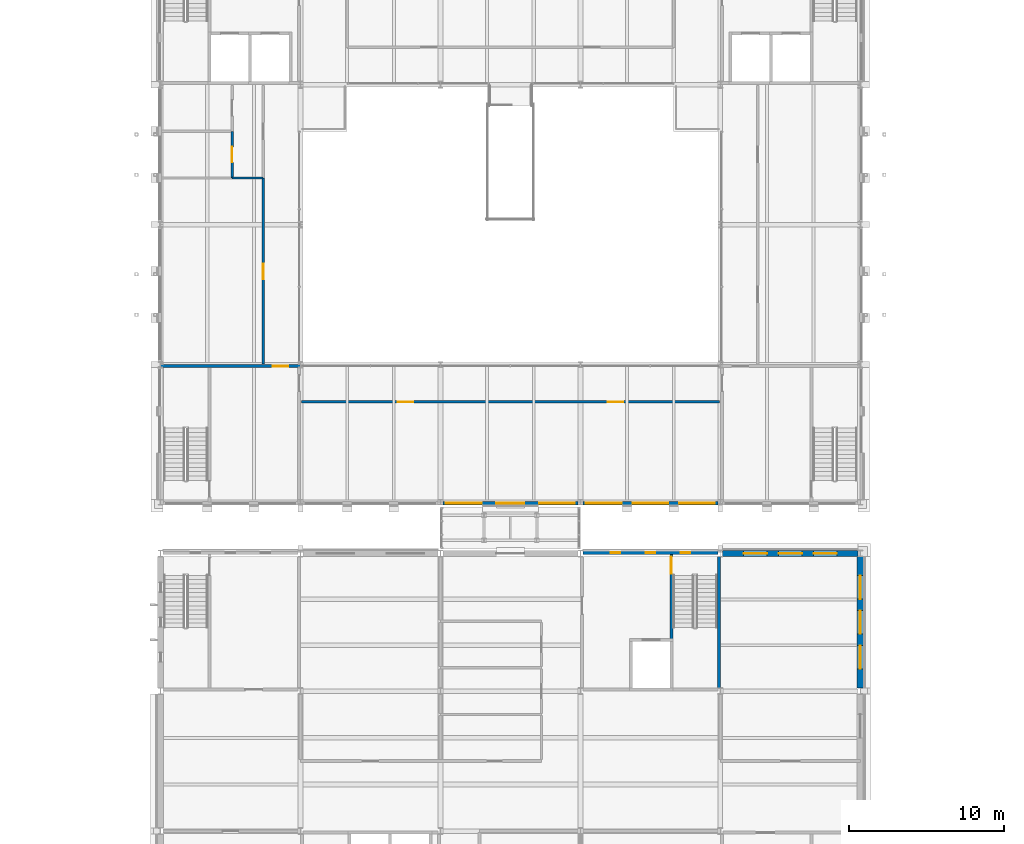
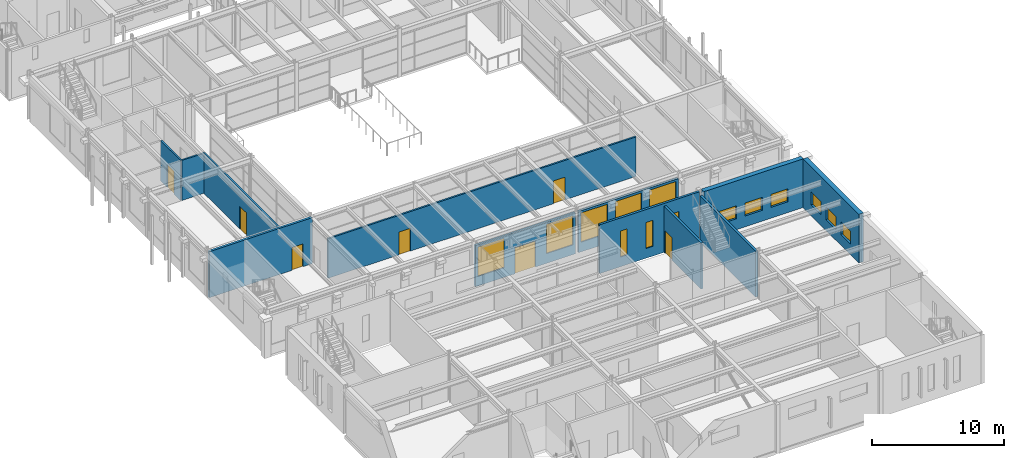
# One storey, part 97 of 153: 14 windows, 12 walls, 7 doors, 21 openings.
"""IFC4 building model written with IfcOpenShell, lengths in metres."""

from ifc_helpers import new_model, si_unit, direction, frame, frame_2d, origin, place, context, subcontext, project, spatial, rectangle, extrude, material, layer, layer_set, type_object, element, fill, save


model = new_model("IFC4")

# Units and contexts
model_context = context("Model", 3, precision=1e-05, world=origin(), true_north=direction((0.0, 1.0)))
body_context = subcontext(model_context, "Body", "Model", "MODEL_VIEW")
ifc_project = project(units=[si_unit("LENGTHUNIT", "METRE"), si_unit("AREAUNIT", "SQUARE_METRE"), si_unit("VOLUMEUNIT", "CUBIC_METRE"), si_unit("PLANEANGLEUNIT", "RADIAN"), si_unit("MASSUNIT", "GRAM", prefix="KILO")], contexts=[model_context])

# Site, building, storey
site_placement = place(None, origin())
site = spatial("IfcSite", under=ifc_project, at=site_placement, CompositionType="ELEMENT")
building_placement = place(site_placement, origin())
building = spatial("IfcBuilding", under=site, at=building_placement, Name="Kallimachos Central Library", CompositionType="ELEMENT")
storey_placement = place(building_placement, frame((0.0, 0.0, 5.39990234375)))
storey = spatial("IfcBuildingStorey", under=building, at=storey_placement, Name="L01", CompositionType="ELEMENT", Elevation=5.39990234375)

# Wall
ifc_material_1 = material(Name="Concrete C30/37", Category="concrete")
ifc_layer_1 = layer(ifc_material_1, 0.199951171875)
ifc_layer_set_1 = layer_set([ifc_layer_1], Name="Core wall 200")
wall_type_1 = type_object("IfcWallType", Name="Core wall 200", PredefinedType="SOLIDWALL", material=ifc_layer_set_1)
wall_1_placement = place(storey_placement, frame((101.39990234375, 36.216064453125, 0.0), z_axis=(0.0, 0.0, 1.0), x_axis=(0.0, 1.0, 0.0)))
element("IfcWall", 1, at=wall_1_placement, inside=storey, type_object=wall_type_1, Name="V5-WAL-L01-035", PredefinedType="SOLIDWALL", context=body_context, shape_type="SweptSolid", body=[
    extrude(rectangle(XDim=8.433837890625, YDim=0.199951171875, at=frame_2d((4.216796875, 0.0))), origin(), (0.0, 0.0, 1.0), 4.25),
])

# Wall, opening, door
wall_2_placement = place(storey_placement, frame((98.35009765625, 39.199951171875, 0.0), z_axis=(0.0, 0.0, 1.0), x_axis=(0.0, 1.0, 0.0)))
wall_2 = element("IfcWall", 2, at=wall_2_placement, inside=storey, type_object=wall_type_1, Name="V5-WAL-L01-036", PredefinedType="SOLIDWALL", context=body_context, shape_type="SweptSolid", body=[
    extrude(rectangle(XDim=5.60009765625, YDim=0.199951171875, at=frame_2d((2.800048828125, 0.0))), origin(), (0.0, 0.0, 1.0), 4.25),
])
opening_1_placement = place(wall_2_placement, frame((4.35009765625, 0.0, 0.0)))
opening_1 = element("IfcOpeningElement", 3, at=opening_1_placement, cuts=wall_2, Name="Opening D96", PredefinedType="OPENING", context=body_context, shape_type="SweptSolid", body=[
    extrude(rectangle(XDim=1.10009765625, YDim=2.10009765625, at=frame_2d((0.550048828125, 1.050048828125))), frame((0.0, 0.10986328125, 0.0), z_axis=(0.0, -1.0, 0.0), x_axis=(1.0, 0.0, 0.0)), (0.0, 0.0, 1.0), 0.219970703125),
])
ifc_material_2 = material(Name="Steel fire door", Category="steel")
door_type_1 = type_object("IfcDoorType", Name="Fire door EI2 90 1100 x 2100", OperationType="NOTDEFINED", PredefinedType="DOOR", material=ifc_material_2)
door_1_placement = place(opening_1_placement, frame((1.10009765625, 0.0, 0.0), z_axis=(0.0, 0.0, 1.0), x_axis=(-1.0, 0.0, 0.0)))
door_1 = element("IfcDoor", 4, at=door_1_placement, inside=storey, type_object=door_type_1, Name="ST14 stair door L01", OperationType="SINGLE_SWING_RIGHT", OverallHeight=2.10009765625, OverallWidth=1.10009765625, PredefinedType="DOOR", context=body_context, shape_type="SweptSolid", body=[
    extrude(rectangle(XDim=1.10009765625, YDim=2.10009765625, at=frame_2d((0.550048828125, 1.050048828125))), frame((0.0, 0.02490234375, 0.0), z_axis=(0.0, -1.0, 0.0), x_axis=(1.0, 0.0, 0.0)), (0.0, 0.0, 1.0), 0.050048828125),
])
fill(opening_1, door_1)

# Wall, openings, doors
ifc_material_3 = material(Name="Gypsum board on steel studs", Category="steel")
ifc_layer_2 = layer(ifc_material_3, 0.14990234375)
ifc_layer_set_2 = layer_set([ifc_layer_2], Name="Partition wall 150")
wall_type_2 = type_object("IfcWallType", Name="Partition wall 150", PredefinedType="PARTITIONING", material=ifc_layer_set_2)
wall_3_placement = place(storey_placement, frame((74.550048828125, 54.60009765625, 0.0), z_axis=(0.0, 0.0, 1.0), x_axis=(1.0, 0.0, 0.0)))
wall_3 = element("IfcWall", 5, at=wall_3_placement, inside=storey, type_object=wall_type_2, Name="L01 partition", PredefinedType="PARTITIONING", context=body_context, shape_type="SweptSolid", body=[
    extrude(rectangle(XDim=26.89990234375, YDim=0.14990234375, at=frame_2d((13.449951171875, 0.0))), origin(), (0.0, 0.0, 1.0), 3.650146484375),
])
opening_2_placement = place(wall_3_placement, frame((6.199951171875, 0.0, 0.0)))
opening_2 = element("IfcOpeningElement", 6, at=opening_2_placement, cuts=wall_3, Name="Opening D191", PredefinedType="OPENING", context=body_context, shape_type="SweptSolid", body=[
    extrude(rectangle(XDim=1.0, YDim=2.10009765625, at=frame_2d((0.5, 1.050048828125))), frame((0.0, 0.0849609375, 0.0), z_axis=(0.0, -1.0, 0.0), x_axis=(1.0, 0.0, 0.0)), (0.0, 0.0, 1.0), 0.169921875),
])
opening_3_placement = place(wall_3_placement, frame((19.699951171875, 0.0, 0.0)))
opening_3 = element("IfcOpeningElement", 7, at=opening_3_placement, cuts=wall_3, Name="Opening D192", PredefinedType="OPENING", context=body_context, shape_type="SweptSolid", body=[
    extrude(rectangle(XDim=1.0, YDim=2.10009765625, at=frame_2d((0.5, 1.050048828125))), frame((0.0, 0.0849609375, 0.0), z_axis=(0.0, -1.0, 0.0), x_axis=(1.0, 0.0, 0.0)), (0.0, 0.0, 1.0), 0.169921875),
])
ifc_material_4 = material(Name="Timber", Category="wood")
door_type_2 = type_object("IfcDoorType", Name="Single leaf door 1000 x 2100, EI2 30", OperationType="NOTDEFINED", PredefinedType="DOOR", material=ifc_material_4)
door_2_placement = place(opening_2_placement, origin())
door_2 = element("IfcDoor", 8, at=door_2_placement, inside=storey, type_object=door_type_2, Name="L01 door Open Stacks Sciences", OperationType="SINGLE_SWING_RIGHT", OverallHeight=2.10009765625, OverallWidth=1.0, PredefinedType="DOOR", context=body_context, shape_type="SweptSolid", body=[
    extrude(rectangle(XDim=1.0, YDim=2.10009765625, at=frame_2d((0.5, 1.050048828125))), frame((0.0, 0.02490234375, 0.0), z_axis=(0.0, -1.0, 0.0), x_axis=(1.0, 0.0, 0.0)), (0.0, 0.0, 1.0), 0.050048828125),
])
fill(opening_2, door_2)
door_3_placement = place(opening_3_placement, origin())
door_3 = element("IfcDoor", 9, at=door_3_placement, inside=storey, type_object=door_type_2, Name="L01 door Open Stacks Sciences", OperationType="SINGLE_SWING_LEFT", OverallHeight=2.10009765625, OverallWidth=1.0, PredefinedType="DOOR", context=body_context, shape_type="SweptSolid", body=[
    extrude(rectangle(XDim=1.0, YDim=2.10009765625, at=frame_2d((0.5, 1.050048828125))), frame((0.0, 0.02490234375, 0.0), z_axis=(0.0, -1.0, 0.0), x_axis=(1.0, 0.0, 0.0)), (0.0, 0.0, 1.0), 0.050048828125),
])
fill(opening_3, door_3)

# Wall, opening, door
wall_4_placement = place(storey_placement, frame((72.10009765625, 57.050048828125, 0.0), z_axis=(0.0, 0.0, 1.0), x_axis=(0.0, 1.0, 0.0)))
wall_4 = element("IfcWall", 10, at=wall_4_placement, inside=storey, type_object=wall_type_2, Name="L01 partition", PredefinedType="PARTITIONING", context=body_context, shape_type="SweptSolid", body=[
    extrude(rectangle(XDim=11.949951171875, YDim=0.14990234375, at=frame_2d((5.97509765625, 0.0))), origin(), (0.0, 0.0, 1.0), 3.7001953125),
])
opening_4_placement = place(wall_4_placement, frame((5.449951171875, 0.0, 0.0)))
opening_4 = element("IfcOpeningElement", 11, at=opening_4_placement, cuts=wall_4, Name="Opening D193", PredefinedType="OPENING", context=body_context, shape_type="SweptSolid", body=[
    extrude(rectangle(XDim=1.0, YDim=2.10009765625, at=frame_2d((0.5, 1.050048828125))), frame((0.0, 0.0849609375, 0.0), z_axis=(0.0, -1.0, 0.0), x_axis=(1.0, 0.0, 0.0)), (0.0, 0.0, 1.0), 0.169921875),
])
door_4_placement = place(opening_4_placement, frame((1.0, 0.0, 0.0), z_axis=(0.0, 0.0, 1.0), x_axis=(-1.0, 0.0, 0.0)))
door_4 = element("IfcDoor", 12, at=door_4_placement, inside=storey, type_object=door_type_2, Name="L01 door Map Room", OperationType="SINGLE_SWING_LEFT", OverallHeight=2.10009765625, OverallWidth=1.0, PredefinedType="DOOR", context=body_context, shape_type="SweptSolid", body=[
    extrude(rectangle(XDim=1.0, YDim=2.10009765625, at=frame_2d((0.5, 1.050048828125))), frame((0.0, 0.02490234375, 0.0), z_axis=(0.0, -1.0, 0.0), x_axis=(1.0, 0.0, 0.0)), (0.0, 0.0, 1.0), 0.050048828125),
])
fill(opening_4, door_4)

# Wall
wall_5_placement = place(storey_placement, frame((70.10009765625, 69.0, 0.0), z_axis=(0.0, 0.0, 1.0), x_axis=(1.0, 0.0, 0.0)))
element("IfcWall", 13, at=wall_5_placement, inside=storey, type_object=wall_type_2, Name="L01 partition", PredefinedType="PARTITIONING", context=body_context, shape_type="SweptSolid", body=[
    extrude(rectangle(XDim=2.0, YDim=0.14990234375, at=frame_2d((1.0, 0.0))), origin(), (0.0, 0.0, 1.0), 3.7001953125),
])

# Wall, opening, door
wall_6_placement = place(storey_placement, frame((70.10009765625, 69.0, 0.0), z_axis=(0.0, 0.0, 1.0), x_axis=(0.0, 1.0, 0.0)))
wall_6 = element("IfcWall", 14, at=wall_6_placement, inside=storey, type_object=wall_type_2, Name="L01 partition", PredefinedType="PARTITIONING", context=body_context, shape_type="SweptSolid", body=[
    extrude(rectangle(XDim=3.0, YDim=0.14990234375, at=frame_2d((1.5, 0.0))), origin(), (0.0, 0.0, 1.0), 3.7001953125),
])
opening_5_placement = place(wall_6_placement, frame((1.0, 0.0, 0.0)))
opening_5 = element("IfcOpeningElement", 15, at=opening_5_placement, cuts=wall_6, Name="Opening D195", PredefinedType="OPENING", context=body_context, shape_type="SweptSolid", body=[
    extrude(rectangle(XDim=1.0, YDim=2.10009765625, at=frame_2d((0.5, 1.050048828125))), frame((0.0, 0.0849609375, 0.0), z_axis=(0.0, -1.0, 0.0), x_axis=(1.0, 0.0, 0.0)), (0.0, 0.0, 1.0), 0.169921875),
])
door_5_placement = place(opening_5_placement, frame((1.0, 0.0, 0.0), z_axis=(0.0, 0.0, 1.0), x_axis=(-1.0, 0.0, 0.0)))
door_5 = element("IfcDoor", 16, at=door_5_placement, inside=storey, type_object=door_type_2, Name="L01 door Women's WC", OperationType="SINGLE_SWING_LEFT", OverallHeight=2.10009765625, OverallWidth=1.0, PredefinedType="DOOR", context=body_context, shape_type="SweptSolid", body=[
    extrude(rectangle(XDim=1.0, YDim=2.10009765625, at=frame_2d((0.5, 1.050048828125))), frame((0.0, 0.02490234375, 0.0), z_axis=(0.0, -1.0, 0.0), x_axis=(1.0, 0.0, 0.0)), (0.0, 0.0, 1.0), 0.050048828125),
])
fill(opening_5, door_5)

ifc_material_5 = material(Name="Concrete C35/45", Category="concrete")
ifc_layer_3 = layer(ifc_material_5, 0.199951171875)
ifc_layer_set_3 = layer_set([ifc_layer_3], Name="Shear core wall 200, internal")
wall_type_3 = type_object("IfcWallType", Name="Shear core wall 200, internal", PredefinedType="SHEAR", material=ifc_layer_set_3)
wall_7_placement = place(storey_placement, frame((65.5, 56.89990234375, 0.0), z_axis=(0.0, 0.0, 1.0), x_axis=(1.0, 0.0, 0.0)))
wall_7 = element("IfcWall", 17, at=wall_7_placement, inside=storey, type_object=wall_type_3, Name="L01 core wall V4-SW N", PredefinedType="SHEAR", context=body_context, shape_type="SweptSolid", body=[
    extrude(rectangle(XDim=9.0, YDim=0.199951171875, at=frame_2d((4.5, 0.0))), origin(), (0.0, 0.0, 1.0), 4.25),
])
opening_6_placement = place(wall_7_placement, frame((7.199951171875, 0.0, 0.0)))
opening_6 = element("IfcOpeningElement", 18, at=opening_6_placement, cuts=wall_7, Name="Opening D169", PredefinedType="OPENING", context=body_context, shape_type="SweptSolid", body=[
    extrude(rectangle(XDim=1.0, YDim=2.10009765625, at=frame_2d((0.5, 1.050048828125))), frame((0.0, 0.10986328125, 0.0), z_axis=(0.0, -1.0, 0.0), x_axis=(1.0, 0.0, 0.0)), (0.0, 0.0, 1.0), 0.219970703125),
])
ifc_material_6 = material(Name="Timber", Category="wood")
door_type_3 = type_object("IfcDoorType", Name="Single leaf door 1000 x 2100, EI2 90", OperationType="NOTDEFINED", PredefinedType="DOOR", material=ifc_material_6)
door_6_placement = place(opening_6_placement, origin())
door_6 = element("IfcDoor", 19, at=door_6_placement, inside=storey, type_object=door_type_3, Name="L01 core door V4-SW", OperationType="SINGLE_SWING_RIGHT", OverallHeight=2.10009765625, OverallWidth=1.0, PredefinedType="DOOR", context=body_context, shape_type="SweptSolid", body=[
    extrude(rectangle(XDim=1.0, YDim=2.10009765625, at=frame_2d((0.5, 1.050048828125))), frame((0.0, 0.02490234375, 0.0), z_axis=(0.0, -1.0, 0.0), x_axis=(1.0, 0.0, 0.0)), (0.0, 0.0, 1.0), 0.050048828125),
])
fill(opening_6, door_6)

# Wall, openings, windows
ifc_material_7 = material(Name="Pentelic marble masonry", Category="masonry")
ifc_layer_4 = layer(ifc_material_7, 0.39990234375)
ifc_layer_set_4 = layer_set([ifc_layer_4], Name="Stone masonry wall 400")
wall_type_4 = type_object("IfcWallType", Name="Stone masonry wall 400", PredefinedType="SOLIDWALL", material=ifc_layer_set_4)
wall_8_placement = place(storey_placement, frame((101.64990234375, 44.85009765625, 0.0), z_axis=(0.0, 0.0, 1.0), x_axis=(1.0, 0.0, 0.0)))
wall_8 = element("IfcWall", 20, at=wall_8_placement, inside=storey, type_object=wall_type_4, Name="V5-WAL-L01-019", PredefinedType="SOLIDWALL", context=body_context, shape_type="SweptSolid", body=[
    extrude(rectangle(XDim=8.7001953125, YDim=0.39990234375, at=frame_2d((4.35009765625, 0.0))), origin(), (0.0, 0.0, 1.0), 4.5),
])
opening_7_placement = place(wall_8_placement, frame((1.35009765625, 0.0, 1.0)))
opening_7 = element("IfcOpeningElement", 21, at=opening_7_placement, cuts=wall_8, Name="Opening WN52", PredefinedType="OPENING", context=body_context, shape_type="SweptSolid", body=[
    extrude(rectangle(XDim=1.5, YDim=1.199951171875, at=frame_2d((0.75, 0.60009765625))), frame((0.0, 0.2099609375, 0.0), z_axis=(0.0, -1.0, 0.0), x_axis=(1.0, 0.0, 0.0)), (0.0, 0.0, 1.0), 0.419921875),
])
opening_8_placement = place(wall_8_placement, frame((3.60009765625, 0.0, 1.0)))
opening_8 = element("IfcOpeningElement", 22, at=opening_8_placement, cuts=wall_8, Name="Opening WN53", PredefinedType="OPENING", context=body_context, shape_type="SweptSolid", body=[
    extrude(rectangle(XDim=1.5, YDim=1.199951171875, at=frame_2d((0.75, 0.60009765625))), frame((0.0, 0.2099609375, 0.0), z_axis=(0.0, -1.0, 0.0), x_axis=(1.0, 0.0, 0.0)), (0.0, 0.0, 1.0), 0.419921875),
])
opening_9_placement = place(wall_8_placement, frame((5.85009765625, 0.0, 1.0)))
opening_9 = element("IfcOpeningElement", 23, at=opening_9_placement, cuts=wall_8, Name="Opening WN54", PredefinedType="OPENING", context=body_context, shape_type="SweptSolid", body=[
    extrude(rectangle(XDim=1.5, YDim=1.199951171875, at=frame_2d((0.75, 0.60009765625))), frame((0.0, 0.2099609375, 0.0), z_axis=(0.0, -1.0, 0.0), x_axis=(1.0, 0.0, 0.0)), (0.0, 0.0, 1.0), 0.419921875),
])
ifc_material_8 = material(Name="Anodised aluminium louvre", Category="aluminium")
window_type_1 = type_object("IfcWindowType", Name="Plant louvre 1500 x 1200", PartitioningType="SINGLE_PANEL", PredefinedType="WINDOW", material=ifc_material_8)
window_1_placement = place(opening_7_placement, origin())
window_1 = element("IfcWindow", 24, at=window_1_placement, inside=storey, type_object=window_type_1, Name="V5-WIN-L01-021", OverallHeight=1.199951171875, OverallWidth=1.5, PartitioningType="SINGLE_PANEL", PredefinedType="WINDOW", context=body_context, shape_type="SweptSolid", body=[
    extrude(rectangle(XDim=1.5, YDim=1.199951171875, at=frame_2d((0.75, 0.60009765625))), frame((0.0, 0.030029296875, 0.0), z_axis=(0.0, -1.0, 0.0), x_axis=(1.0, 0.0, 0.0)), (0.0, 0.0, 1.0), 0.06005859375),
])
fill(opening_7, window_1)
window_2_placement = place(opening_8_placement, origin())
window_2 = element("IfcWindow", 25, at=window_2_placement, inside=storey, type_object=window_type_1, Name="V5-WIN-L01-022", OverallHeight=1.199951171875, OverallWidth=1.5, PartitioningType="SINGLE_PANEL", PredefinedType="WINDOW", context=body_context, shape_type="SweptSolid", body=[
    extrude(rectangle(XDim=1.5, YDim=1.199951171875, at=frame_2d((0.75, 0.60009765625))), frame((0.0, 0.030029296875, 0.0), z_axis=(0.0, -1.0, 0.0), x_axis=(1.0, 0.0, 0.0)), (0.0, 0.0, 1.0), 0.06005859375),
])
fill(opening_8, window_2)
window_3_placement = place(opening_9_placement, origin())
window_3 = element("IfcWindow", 26, at=window_3_placement, inside=storey, type_object=window_type_1, Name="V5-WIN-L01-023", OverallHeight=1.199951171875, OverallWidth=1.5, PartitioningType="SINGLE_PANEL", PredefinedType="WINDOW", context=body_context, shape_type="SweptSolid", body=[
    extrude(rectangle(XDim=1.5, YDim=1.199951171875, at=frame_2d((0.75, 0.60009765625))), frame((0.0, 0.030029296875, 0.0), z_axis=(0.0, -1.0, 0.0), x_axis=(1.0, 0.0, 0.0)), (0.0, 0.0, 1.0), 0.06005859375),
])
fill(opening_9, window_3)

wall_9_placement = place(storey_placement, frame((110.5, 36.199951171875, 0.0), z_axis=(0.0, 0.0, 1.0), x_axis=(0.0, 1.0, 0.0)))
wall_9 = element("IfcWall", 27, at=wall_9_placement, inside=storey, type_object=wall_type_4, Name="V5-WAL-L01-025", PredefinedType="SOLIDWALL", context=body_context, shape_type="SweptSolid", body=[
    extrude(rectangle(XDim=8.449951171875, YDim=0.39990234375, at=frame_2d((4.22509765625, 0.0))), origin(), (0.0, 0.0, 1.0), 4.5),
])
opening_10_placement = place(wall_9_placement, frame((1.22509765625, 0.0, 1.0)))
opening_10 = element("IfcOpeningElement", 28, at=opening_10_placement, cuts=wall_9, Name="Opening WN65", PredefinedType="OPENING", context=body_context, shape_type="SweptSolid", body=[
    extrude(rectangle(XDim=1.5, YDim=1.199951171875, at=frame_2d((0.75, 0.60009765625))), frame((0.0, 0.2099609375, 0.0), z_axis=(0.0, -1.0, 0.0), x_axis=(1.0, 0.0, 0.0)), (0.0, 0.0, 1.0), 0.419921875),
])
opening_11_placement = place(wall_9_placement, frame((3.47509765625, 0.0, 1.0)))
opening_11 = element("IfcOpeningElement", 29, at=opening_11_placement, cuts=wall_9, Name="Opening WN66", PredefinedType="OPENING", context=body_context, shape_type="SweptSolid", body=[
    extrude(rectangle(XDim=1.5, YDim=1.199951171875, at=frame_2d((0.75, 0.60009765625))), frame((0.0, 0.2099609375, 0.0), z_axis=(0.0, -1.0, 0.0), x_axis=(1.0, 0.0, 0.0)), (0.0, 0.0, 1.0), 0.419921875),
])
opening_12_placement = place(wall_9_placement, frame((5.72509765625, 0.0, 1.0)))
opening_12 = element("IfcOpeningElement", 30, at=opening_12_placement, cuts=wall_9, Name="Opening WN67", PredefinedType="OPENING", context=body_context, shape_type="SweptSolid", body=[
    extrude(rectangle(XDim=1.5, YDim=1.199951171875, at=frame_2d((0.75, 0.60009765625))), frame((0.0, 0.2099609375, 0.0), z_axis=(0.0, -1.0, 0.0), x_axis=(1.0, 0.0, 0.0)), (0.0, 0.0, 1.0), 0.419921875),
])
window_4_placement = place(opening_10_placement, origin())
window_4 = element("IfcWindow", 31, at=window_4_placement, inside=storey, type_object=window_type_1, Name="V5-WIN-L01-034", OverallHeight=1.199951171875, OverallWidth=1.5, PartitioningType="SINGLE_PANEL", PredefinedType="WINDOW", context=body_context, shape_type="SweptSolid", body=[
    extrude(rectangle(XDim=1.5, YDim=1.199951171875, at=frame_2d((0.75, 0.60009765625))), frame((0.0, 0.030029296875, 0.0), z_axis=(0.0, -1.0, 0.0), x_axis=(1.0, 0.0, 0.0)), (0.0, 0.0, 1.0), 0.06005859375),
])
fill(opening_10, window_4)
window_5_placement = place(opening_11_placement, origin())
window_5 = element("IfcWindow", 32, at=window_5_placement, inside=storey, type_object=window_type_1, Name="V5-WIN-L01-035", OverallHeight=1.199951171875, OverallWidth=1.5, PartitioningType="SINGLE_PANEL", PredefinedType="WINDOW", context=body_context, shape_type="SweptSolid", body=[
    extrude(rectangle(XDim=1.5, YDim=1.199951171875, at=frame_2d((0.75, 0.60009765625))), frame((0.0, 0.030029296875, 0.0), z_axis=(0.0, -1.0, 0.0), x_axis=(1.0, 0.0, 0.0)), (0.0, 0.0, 1.0), 0.06005859375),
])
fill(opening_11, window_5)
window_6_placement = place(opening_12_placement, origin())
window_6 = element("IfcWindow", 33, at=window_6_placement, inside=storey, type_object=window_type_1, Name="V5-WIN-L01-036", OverallHeight=1.199951171875, OverallWidth=1.5, PartitioningType="SINGLE_PANEL", PredefinedType="WINDOW", context=body_context, shape_type="SweptSolid", body=[
    extrude(rectangle(XDim=1.5, YDim=1.199951171875, at=frame_2d((0.75, 0.60009765625))), frame((0.0, 0.030029296875, 0.0), z_axis=(0.0, -1.0, 0.0), x_axis=(1.0, 0.0, 0.0)), (0.0, 0.0, 1.0), 0.06005859375),
])
fill(opening_12, window_6)

ifc_material_9 = material(Name="Concrete C30/37", Category="concrete")
ifc_layer_5 = layer(ifc_material_9, 0.199951171875)
ifc_layer_set_5 = layer_set([ifc_layer_5], Name="Stone-clad core wall 200")
wall_type_5 = type_object("IfcWallType", Name="Stone-clad core wall 200", PredefinedType="SOLIDWALL", material=ifc_layer_set_5)
wall_10_placement = place(storey_placement, frame((92.64990234375, 44.89990234375, 0.0), z_axis=(0.0, 0.0, 1.0), x_axis=(1.0, 0.0, 0.0)))
wall_10 = element("IfcWall", 34, at=wall_10_placement, inside=storey, type_object=wall_type_5, Name="V5-WAL-L01-018", PredefinedType="SOLIDWALL", context=body_context, shape_type="SweptSolid", body=[
    extrude(rectangle(XDim=8.7001953125, YDim=0.199951171875, at=frame_2d((4.35009765625, 0.0))), origin(), (0.0, 0.0, 1.0), 4.5),
])
opening_13_placement = place(wall_10_placement, frame((1.800048828125, 0.0, 0.89990234375)))
opening_13 = element("IfcOpeningElement", 35, at=opening_13_placement, cuts=wall_10, Name="Opening WN49", PredefinedType="OPENING", context=body_context, shape_type="SweptSolid", body=[
    extrude(rectangle(XDim=0.60009765625, YDim=2.39990234375, at=frame_2d((0.300048828125, 1.199951171875))), frame((0.0, 0.10986328125, 0.0), z_axis=(0.0, -1.0, 0.0), x_axis=(1.0, 0.0, 0.0)), (0.0, 0.0, 1.0), 0.219970703125),
])
opening_14_placement = place(wall_10_placement, frame((4.050048828125, 0.0, 0.89990234375)))
opening_14 = element("IfcOpeningElement", 36, at=opening_14_placement, cuts=wall_10, Name="Opening WN50", PredefinedType="OPENING", context=body_context, shape_type="SweptSolid", body=[
    extrude(rectangle(XDim=0.60009765625, YDim=2.39990234375, at=frame_2d((0.300048828125, 1.199951171875))), frame((0.0, 0.10986328125, 0.0), z_axis=(0.0, -1.0, 0.0), x_axis=(1.0, 0.0, 0.0)), (0.0, 0.0, 1.0), 0.219970703125),
])
opening_15_placement = place(wall_10_placement, frame((6.300048828125, 0.0, 0.89990234375)))
opening_15 = element("IfcOpeningElement", 37, at=opening_15_placement, cuts=wall_10, Name="Opening WN51", PredefinedType="OPENING", context=body_context, shape_type="SweptSolid", body=[
    extrude(rectangle(XDim=0.60009765625, YDim=2.39990234375, at=frame_2d((0.300048828125, 1.199951171875))), frame((0.0, 0.10986328125, 0.0), z_axis=(0.0, -1.0, 0.0), x_axis=(1.0, 0.0, 0.0)), (0.0, 0.0, 1.0), 0.219970703125),
])
ifc_material_10 = material(Name="Anodised aluminium and laminated glass", Category="aluminium")
window_type_2 = type_object("IfcWindowType", Name="Slot window 600 x 2400", PartitioningType="SINGLE_PANEL", PredefinedType="WINDOW", material=ifc_material_10)
window_7_placement = place(opening_13_placement, origin())
window_7 = element("IfcWindow", 38, at=window_7_placement, inside=storey, type_object=window_type_2, Name="V5-WIN-L01-018", OverallHeight=2.39990234375, OverallWidth=0.60009765625, PartitioningType="SINGLE_PANEL", PredefinedType="WINDOW", context=body_context, shape_type="SweptSolid", body=[
    extrude(rectangle(XDim=0.60009765625, YDim=2.39990234375, at=frame_2d((0.300048828125, 1.199951171875))), frame((0.0, 0.030029296875, 0.0), z_axis=(0.0, -1.0, 0.0), x_axis=(1.0, 0.0, 0.0)), (0.0, 0.0, 1.0), 0.06005859375),
])
fill(opening_13, window_7)
window_8_placement = place(opening_14_placement, origin())
window_8 = element("IfcWindow", 39, at=window_8_placement, inside=storey, type_object=window_type_2, Name="V5-WIN-L01-019", OverallHeight=2.39990234375, OverallWidth=0.60009765625, PartitioningType="SINGLE_PANEL", PredefinedType="WINDOW", context=body_context, shape_type="SweptSolid", body=[
    extrude(rectangle(XDim=0.60009765625, YDim=2.39990234375, at=frame_2d((0.300048828125, 1.199951171875))), frame((0.0, 0.030029296875, 0.0), z_axis=(0.0, -1.0, 0.0), x_axis=(1.0, 0.0, 0.0)), (0.0, 0.0, 1.0), 0.06005859375),
])
fill(opening_14, window_8)
window_9_placement = place(opening_15_placement, origin())
window_9 = element("IfcWindow", 40, at=window_9_placement, inside=storey, type_object=window_type_2, Name="V5-WIN-L01-020", OverallHeight=2.39990234375, OverallWidth=0.60009765625, PartitioningType="SINGLE_PANEL", PredefinedType="WINDOW", context=body_context, shape_type="SweptSolid", body=[
    extrude(rectangle(XDim=0.60009765625, YDim=2.39990234375, at=frame_2d((0.300048828125, 1.199951171875))), frame((0.0, 0.030029296875, 0.0), z_axis=(0.0, -1.0, 0.0), x_axis=(1.0, 0.0, 0.0)), (0.0, 0.0, 1.0), 0.06005859375),
])
fill(opening_15, window_9)

# Wall, openings, door, windows
ifc_material_11 = material(Name="Brick masonry with Pentelic marble cladding", Category="masonry")
ifc_layer_6 = layer(ifc_material_11, 0.199951171875)
ifc_layer_set_6 = layer_set([ifc_layer_6], Name="Stone-clad masonry wall 200")
wall_type_6 = type_object("IfcWallType", Name="Stone-clad masonry wall 200", PredefinedType="SOLIDWALL", material=ifc_layer_set_6)
wall_11_placement = place(storey_placement, frame((83.64990234375, 48.080078125, 0.0), z_axis=(0.0, 0.0, 1.0), x_axis=(1.0, 0.0, 0.0)))
wall_11 = element("IfcWall", 41, at=wall_11_placement, inside=storey, type_object=wall_type_6, Name="V4-WAL-L01-017", PredefinedType="SOLIDWALL", context=body_context, shape_type="SweptSolid", body=[
    extrude(rectangle(XDim=8.7001953125, YDim=0.199951171875, at=frame_2d((4.35009765625, 0.0))), origin(), (0.0, 0.0, 1.0), 3.800048828125),
])
opening_16_placement = place(wall_11_placement, frame((3.449951171875, 0.0, 0.0)))
opening_16 = element("IfcOpeningElement", 42, at=opening_16_placement, cuts=wall_11, Name="Opening D33", PredefinedType="OPENING", context=body_context, shape_type="SweptSolid", body=[
    extrude(rectangle(XDim=1.800048828125, YDim=2.39990234375, at=frame_2d((0.89990234375, 1.199951171875))), frame((0.0, 0.10986328125, 0.0), z_axis=(0.0, -1.0, 0.0), x_axis=(1.0, 0.0, 0.0)), (0.0, 0.0, 1.0), 0.219970703125),
])
opening_17_placement = place(wall_11_placement, frame((0.199951171875, 0.0, 0.89990234375)))
opening_17 = element("IfcOpeningElement", 43, at=opening_17_placement, cuts=wall_11, Name="Opening WN161", PredefinedType="OPENING", context=body_context, shape_type="SweptSolid", body=[
    extrude(rectangle(XDim=2.300048828125, YDim=2.699951171875, at=frame_2d((1.14990234375, 1.35009765625))), frame((0.0, 0.10986328125, 0.0), z_axis=(0.0, -1.0, 0.0), x_axis=(1.0, 0.0, 0.0)), (0.0, 0.0, 1.0), 0.219970703125),
])
opening_18_placement = place(wall_11_placement, frame((6.199951171875, 0.0, 0.89990234375)))
opening_18 = element("IfcOpeningElement", 44, at=opening_18_placement, cuts=wall_11, Name="Opening WN161", PredefinedType="OPENING", context=body_context, shape_type="SweptSolid", body=[
    extrude(rectangle(XDim=2.300048828125, YDim=2.699951171875, at=frame_2d((1.14990234375, 1.35009765625))), frame((0.0, 0.10986328125, 0.0), z_axis=(0.0, -1.0, 0.0), x_axis=(1.0, 0.0, 0.0)), (0.0, 0.0, 1.0), 0.219970703125),
])
ifc_material_12 = material(Name="Anodised aluminium and laminated glass", Category="aluminium")
door_type_4 = type_object("IfcDoorType", Name="Link door 1800 x 2400", OperationType="DOUBLE_DOOR_SINGLE_SWING", PredefinedType="DOOR", material=ifc_material_12)
door_7_placement = place(opening_16_placement, frame((1.800048828125, 0.0, 0.0), z_axis=(0.0, 0.0, 1.0), x_axis=(-1.0, 0.0, 0.0)))
door_7 = element("IfcDoor", 45, at=door_7_placement, inside=storey, type_object=door_type_4, Name="Link Door K1", OperationType="DOUBLE_DOOR_SINGLE_SWING", OverallHeight=2.39990234375, OverallWidth=1.800048828125, PredefinedType="DOOR", context=body_context, shape_type="SweptSolid", body=[
    extrude(rectangle(XDim=1.800048828125, YDim=2.39990234375, at=frame_2d((0.89990234375, 1.199951171875))), frame((0.0, 0.02490234375, 0.0), z_axis=(0.0, -1.0, 0.0), x_axis=(1.0, 0.0, 0.0)), (0.0, 0.0, 1.0), 0.050048828125),
])
fill(opening_16, door_7)
ifc_material_13 = material(Name="Anodised aluminium and laminated glass", Category="aluminium")
window_type_3 = type_object("IfcWindowType", Name="Window 2300 x 2700", PartitioningType="DOUBLE_PANEL_VERTICAL", PredefinedType="WINDOW", material=ifc_material_13)
window_10_placement = place(opening_17_placement, origin())
window_10 = element("IfcWindow", 46, at=window_10_placement, inside=storey, type_object=window_type_3, Name="V4-WIN-L01-007", OverallHeight=2.699951171875, OverallWidth=2.300048828125, PartitioningType="SINGLE_PANEL", PredefinedType="WINDOW", context=body_context, shape_type="SweptSolid", body=[
    extrude(rectangle(XDim=2.300048828125, YDim=2.699951171875, at=frame_2d((1.14990234375, 1.35009765625))), frame((0.0, 0.030029296875, 0.0), z_axis=(0.0, -1.0, 0.0), x_axis=(1.0, 0.0, 0.0)), (0.0, 0.0, 1.0), 0.06005859375),
])
fill(opening_17, window_10)
window_11_placement = place(opening_18_placement, origin())
window_11 = element("IfcWindow", 47, at=window_11_placement, inside=storey, type_object=window_type_3, Name="V4-WIN-L01-008", OverallHeight=2.699951171875, OverallWidth=2.300048828125, PartitioningType="SINGLE_PANEL", PredefinedType="WINDOW", context=body_context, shape_type="SweptSolid", body=[
    extrude(rectangle(XDim=2.300048828125, YDim=2.699951171875, at=frame_2d((1.14990234375, 1.35009765625))), frame((0.0, 0.030029296875, 0.0), z_axis=(0.0, -1.0, 0.0), x_axis=(1.0, 0.0, 0.0)), (0.0, 0.0, 1.0), 0.06005859375),
])
fill(opening_18, window_11)

# Wall, openings, windows
wall_12_placement = place(storey_placement, frame((92.64990234375, 48.080078125, 0.0), z_axis=(0.0, 0.0, 1.0), x_axis=(1.0, 0.0, 0.0)))
wall_12 = element("IfcWall", 48, at=wall_12_placement, inside=storey, type_object=wall_type_6, Name="V4-WAL-L01-018", PredefinedType="SOLIDWALL", context=body_context, shape_type="SweptSolid", body=[
    extrude(rectangle(XDim=8.7001953125, YDim=0.199951171875, at=frame_2d((4.35009765625, 0.0))), origin(), (0.0, 0.0, 1.0), 3.800048828125),
])
opening_19_placement = place(wall_12_placement, frame((0.199951171875, 0.0, 0.89990234375)))
opening_19 = element("IfcOpeningElement", 49, at=opening_19_placement, cuts=wall_12, Name="Opening WN161", PredefinedType="OPENING", context=body_context, shape_type="SweptSolid", body=[
    extrude(rectangle(XDim=2.300048828125, YDim=2.699951171875, at=frame_2d((1.14990234375, 1.35009765625))), frame((0.0, 0.10986328125, 0.0), z_axis=(0.0, -1.0, 0.0), x_axis=(1.0, 0.0, 0.0)), (0.0, 0.0, 1.0), 0.219970703125),
])
opening_20_placement = place(wall_12_placement, frame((3.199951171875, 0.0, 0.89990234375)))
opening_20 = element("IfcOpeningElement", 50, at=opening_20_placement, cuts=wall_12, Name="Opening WN161", PredefinedType="OPENING", context=body_context, shape_type="SweptSolid", body=[
    extrude(rectangle(XDim=2.300048828125, YDim=2.699951171875, at=frame_2d((1.14990234375, 1.35009765625))), frame((0.0, 0.10986328125, 0.0), z_axis=(0.0, -1.0, 0.0), x_axis=(1.0, 0.0, 0.0)), (0.0, 0.0, 1.0), 0.219970703125),
])
opening_21_placement = place(wall_12_placement, frame((6.199951171875, 0.0, 0.89990234375)))
opening_21 = element("IfcOpeningElement", 51, at=opening_21_placement, cuts=wall_12, Name="Opening WN161", PredefinedType="OPENING", context=body_context, shape_type="SweptSolid", body=[
    extrude(rectangle(XDim=2.300048828125, YDim=2.699951171875, at=frame_2d((1.14990234375, 1.35009765625))), frame((0.0, 0.10986328125, 0.0), z_axis=(0.0, -1.0, 0.0), x_axis=(1.0, 0.0, 0.0)), (0.0, 0.0, 1.0), 0.219970703125),
])
window_12_placement = place(opening_19_placement, origin())
window_12 = element("IfcWindow", 52, at=window_12_placement, inside=storey, type_object=window_type_3, Name="V4-WIN-L01-009", OverallHeight=2.699951171875, OverallWidth=2.300048828125, PartitioningType="SINGLE_PANEL", PredefinedType="WINDOW", context=body_context, shape_type="SweptSolid", body=[
    extrude(rectangle(XDim=2.300048828125, YDim=2.699951171875, at=frame_2d((1.14990234375, 1.35009765625))), frame((0.0, 0.030029296875, 0.0), z_axis=(0.0, -1.0, 0.0), x_axis=(1.0, 0.0, 0.0)), (0.0, 0.0, 1.0), 0.06005859375),
])
fill(opening_19, window_12)
window_13_placement = place(opening_20_placement, origin())
window_13 = element("IfcWindow", 53, at=window_13_placement, inside=storey, type_object=window_type_3, Name="V4-WIN-L01-010", OverallHeight=2.699951171875, OverallWidth=2.300048828125, PartitioningType="SINGLE_PANEL", PredefinedType="WINDOW", context=body_context, shape_type="SweptSolid", body=[
    extrude(rectangle(XDim=2.300048828125, YDim=2.699951171875, at=frame_2d((1.14990234375, 1.35009765625))), frame((0.0, 0.030029296875, 0.0), z_axis=(0.0, -1.0, 0.0), x_axis=(1.0, 0.0, 0.0)), (0.0, 0.0, 1.0), 0.06005859375),
])
fill(opening_20, window_13)
window_14_placement = place(opening_21_placement, origin())
window_14 = element("IfcWindow", 54, at=window_14_placement, inside=storey, type_object=window_type_3, Name="V4-WIN-L01-011", OverallHeight=2.699951171875, OverallWidth=2.300048828125, PartitioningType="SINGLE_PANEL", PredefinedType="WINDOW", context=body_context, shape_type="SweptSolid", body=[
    extrude(rectangle(XDim=2.300048828125, YDim=2.699951171875, at=frame_2d((1.14990234375, 1.35009765625))), frame((0.0, 0.030029296875, 0.0), z_axis=(0.0, -1.0, 0.0), x_axis=(1.0, 0.0, 0.0)), (0.0, 0.0, 1.0), 0.06005859375),
])
fill(opening_21, window_14)

save(model, "model.ifc")
